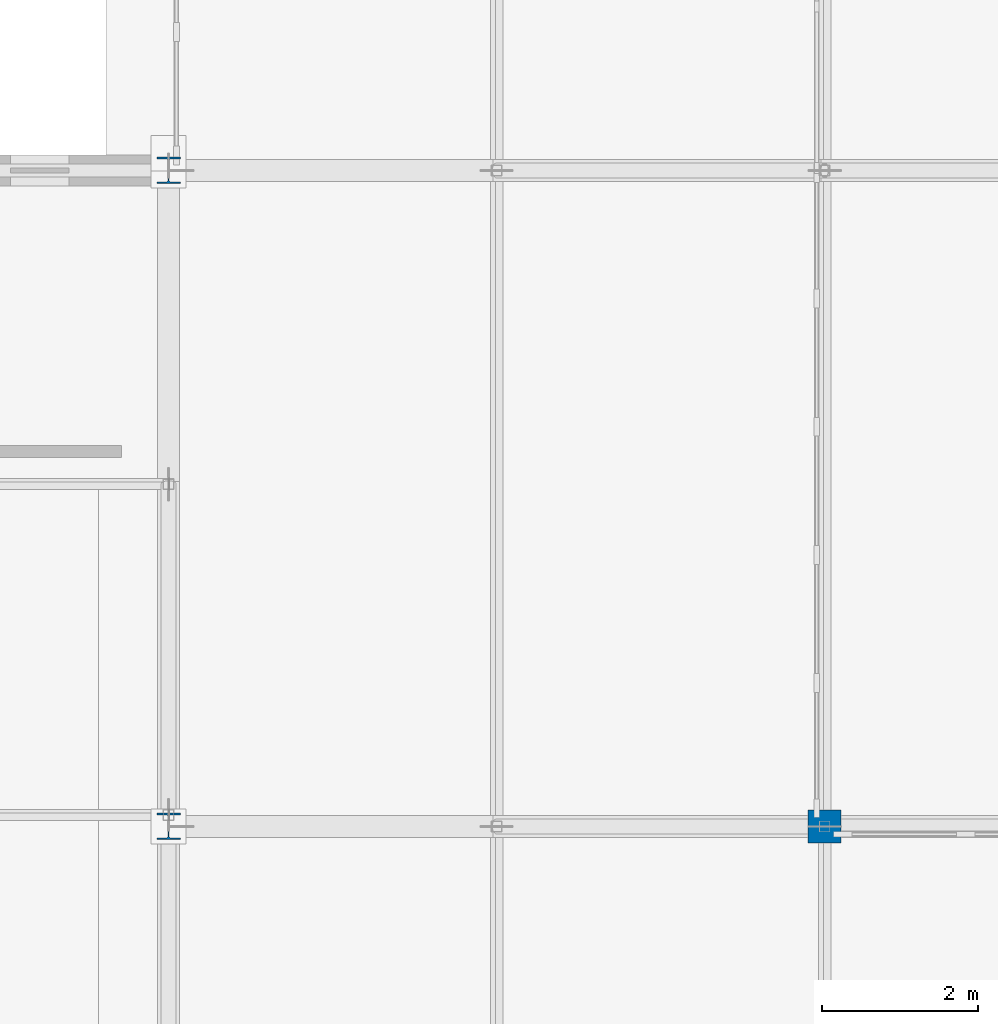
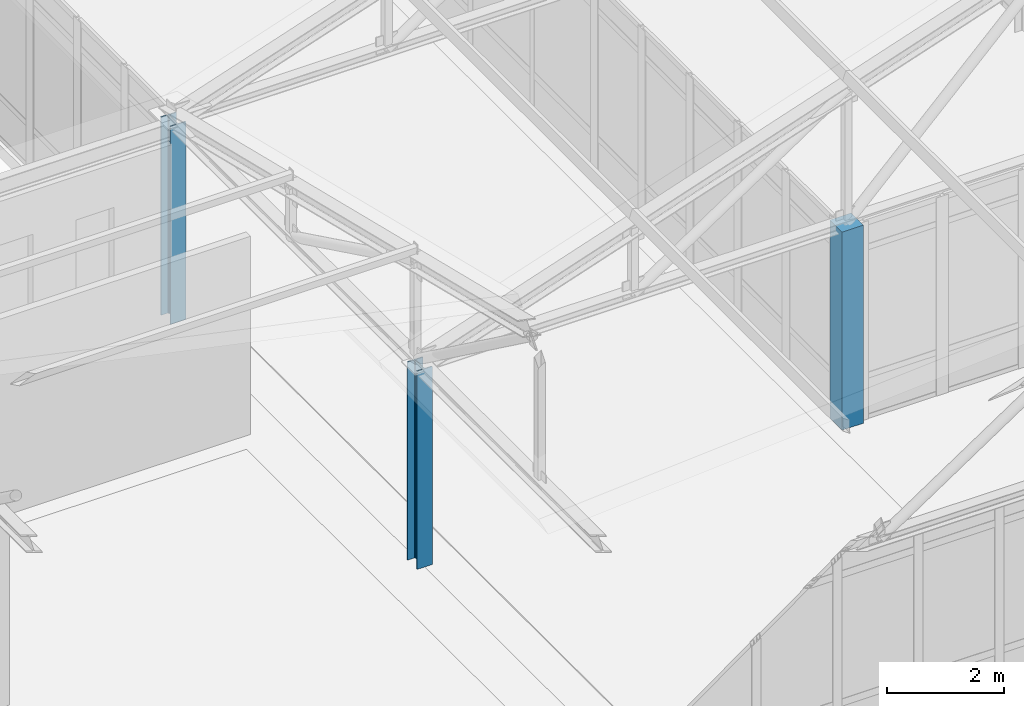
# One storey, part 2 of 192: 3 columns.
"""IFC4 building model written with IfcOpenShell, lengths in metres."""

from ifc_helpers import new_model, si_unit, direction, frame, origin, origin_2d, place, context, subcontext, project, spatial, rectangle, i_section, extrude, material, material_profile, profile_set, type_object, element, save


model = new_model("IFC4")

# Units and contexts
model_context = context("Model", 3, precision=1e-05, world=origin(), true_north=direction((0.0, 1.0)))
body_context = subcontext(model_context, "Body", "Model", "MODEL_VIEW")
ifc_project = project(units=[si_unit("LENGTHUNIT", "METRE"), si_unit("AREAUNIT", "SQUARE_METRE"), si_unit("VOLUMEUNIT", "CUBIC_METRE"), si_unit("PLANEANGLEUNIT", "RADIAN"), si_unit("MASSUNIT", "GRAM", prefix="KILO")], contexts=[model_context])

# Site, building, storey
site_placement = place(None, origin())
site = spatial("IfcSite", under=ifc_project, at=site_placement, CompositionType="ELEMENT")
building_placement = place(site_placement, origin())
building = spatial("IfcBuilding", under=site, at=building_placement, Name="Kveldsbrygga Polytechnic", CompositionType="ELEMENT")
storey_placement = place(building_placement, frame((0.0, 0.0, 5.43994140625)))
storey = spatial("IfcBuildingStorey", under=building, at=storey_placement, Name="L01", CompositionType="ELEMENT", Elevation=5.43994140625)

# Columns
ifc_material_1 = material(Name="Concrete C45/55", Category="concrete")
ifc_material_profile_1 = material_profile(ifc_material_1, rectangle(XDim=0.419921875, YDim=0.419921875, at=origin_2d()), Name="RC 420x420")
ifc_profile_set_1 = profile_set([ifc_material_profile_1], Name="Concrete C45/55")
column_type_1 = type_object("IfcColumnType", Name="COL-RC-420", PredefinedType="COLUMN", material=ifc_profile_set_1)
column_placement = place(storey_placement, frame((58.800048828125, 16.800048828125, 0.0), z_axis=(0.0, 0.0, 1.0), x_axis=(1.0, 0.0, 0.0)))
element("IfcColumn", 1, at=column_placement, inside=storey, type_object=column_type_1, Name="Column COL-L01-07-02", PredefinedType="COLUMN", context=body_context, shape_type="SweptSolid", body=[
    extrude(rectangle(XDim=0.419921875, YDim=0.419921875, at=origin_2d()), origin(), (0.0, 0.0, 1.0), 4.1201171875),
])
ifc_material_2 = material(Name="Steel S355", Category="steel")
ifc_material_profile_2 = material_profile(ifc_material_2, i_section(OverallWidth=0.300048828125, OverallDepth=0.340087890625, WebThickness=0.011962890625, FlangeThickness=0.021484375, FilletRadius=0.027099609375, at=origin_2d()), Name="HEB 340")
ifc_profile_set_2 = profile_set([ifc_material_profile_2], Name="Steel S355")
column_type_2 = type_object("IfcColumnType", Name="COL-STL-HEB340", PredefinedType="COLUMN", material=ifc_profile_set_2)
for number, where, z_axis, x_axis, name in (
    (2, (50.39990234375, 16.800048828125, 0.0), (0.0, 0.0, 1.0), (1.0, 0.0, 0.0), "Column COL-L01-06-02"),
    (3, (50.39990234375, 25.199951171875, 0.0), (0.0, 0.0, 1.0), (1.0, 0.0, 0.0), "Column COL-L01-06-03"),
):
    element("IfcColumn", number, at=place(storey_placement, frame(where, z_axis=z_axis, x_axis=x_axis)), inside=storey, type_object=column_type_2, Name=name, PredefinedType="COLUMN", context=body_context, shape_type="SweptSolid", body=[
        extrude(i_section(OverallWidth=0.300048828125, OverallDepth=0.340087890625, WebThickness=0.011962890625, FlangeThickness=0.021484375, FilletRadius=0.027099609375, at=origin_2d()), origin(), (0.0, 0.0, 1.0), 4.1201171875),
    ])

save(model, "model.ifc")
